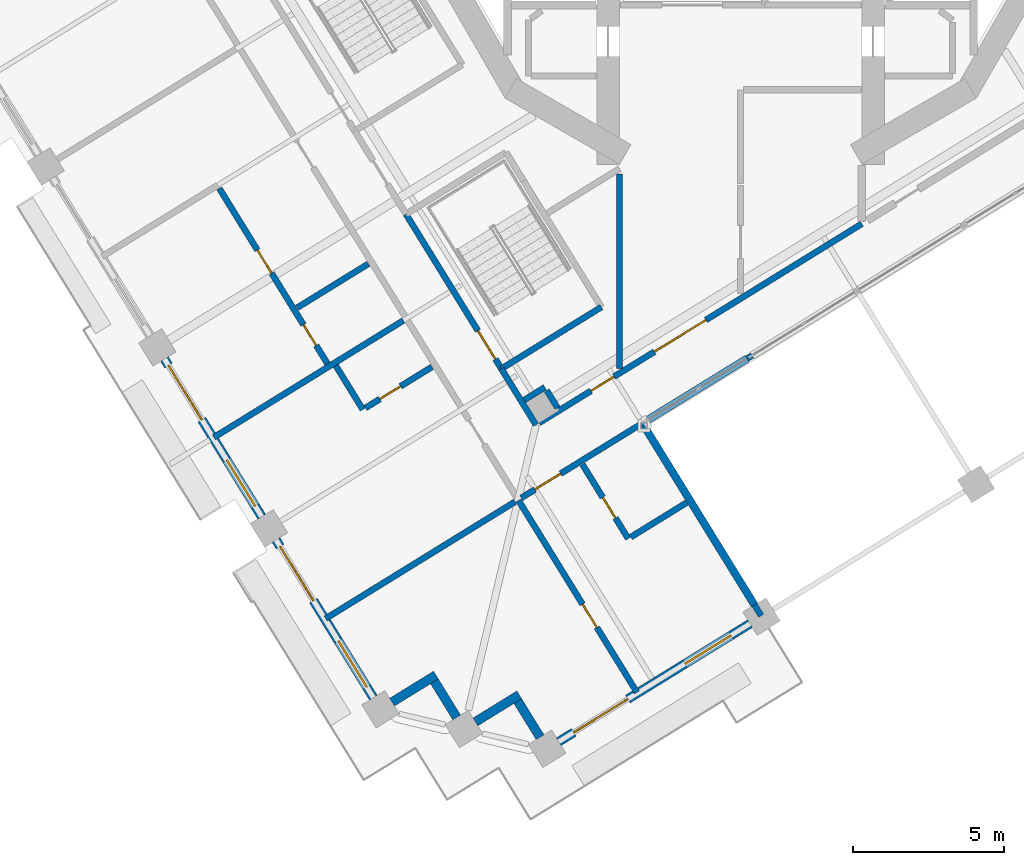
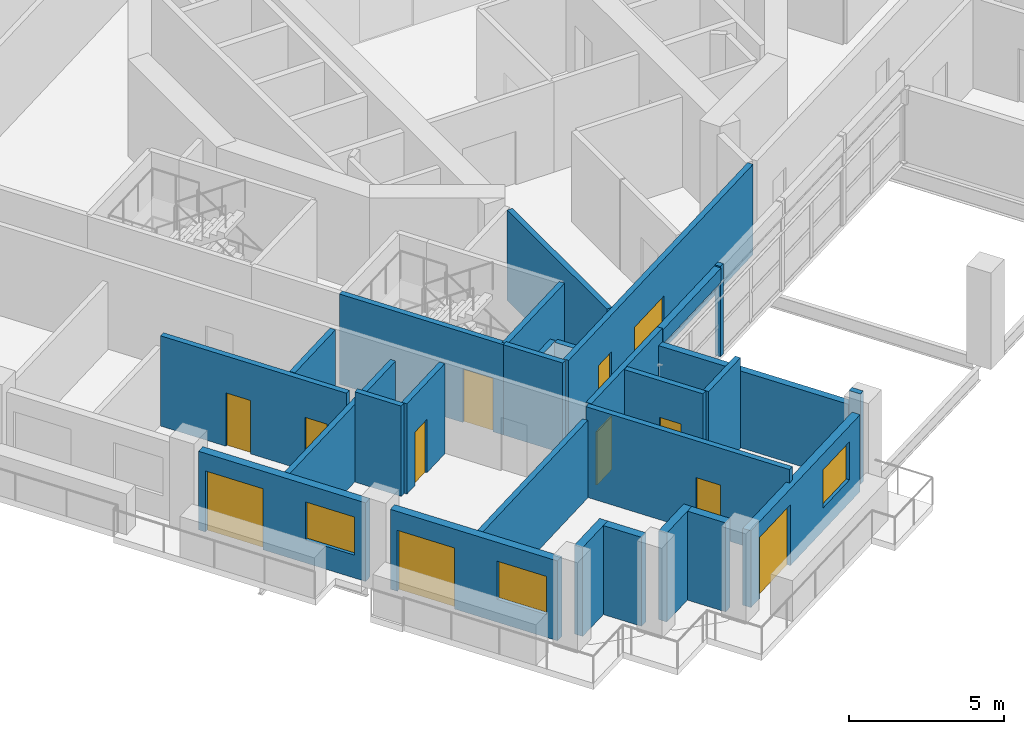
# One storey, part 8 of 22: 28 walls, 12 doors, 3 windows, 15 openings.
"""IFC4 building model written with IfcOpenShell, lengths in metres."""

from ifc_helpers import new_model, si_unit, direction, frame, frame_2d, origin, place, context, subcontext, project, spatial, rectangle, extrude, material, layer, layer_set, type_object, element, fill, save


model = new_model("IFC4")

# Units and contexts
model_context = context("Model", 3, precision=1e-05, world=origin(), true_north=direction((0.0, 1.0)))
body_context = subcontext(model_context, "Body", "Model", "MODEL_VIEW")
ifc_project = project(units=[si_unit("LENGTHUNIT", "METRE"), si_unit("AREAUNIT", "SQUARE_METRE"), si_unit("VOLUMEUNIT", "CUBIC_METRE"), si_unit("PLANEANGLEUNIT", "RADIAN"), si_unit("MASSUNIT", "GRAM", prefix="KILO")], contexts=[model_context])

# Site, building, storey
site_placement = place(None, origin())
site = spatial("IfcSite", under=ifc_project, at=site_placement, CompositionType="ELEMENT")
building_placement = place(site_placement, origin())
building = spatial("IfcBuilding", under=site, at=building_placement, Name="Cantera Rosa Tower", CompositionType="ELEMENT")
storey_placement = place(building_placement, frame((0.0, 0.0, 178.0)))
storey = spatial("IfcBuildingStorey", under=building, at=storey_placement, Name="L39", CompositionType="ELEMENT", Elevation=178.0)

# Wall
ifc_material_1 = material(Name="Gypsum board partition")
ifc_layer_1 = layer(ifc_material_1, 0.199951171875)
ifc_layer_set_1 = layer_set([ifc_layer_1], Name="CORRIDOR WALL 200 H3550")
wall_type_1 = type_object("IfcWallType", Name="CORRIDOR WALL 200 H3550", PredefinedType="PARTITIONING", material=ifc_layer_set_1)
wall_1_placement = place(storey_placement, frame((-7.9033203125, -16.7119140625, 0.0), z_axis=(0.0, 0.0, 1.0), x_axis=(0.525036414636, -0.851079763187, 0.0)))
element("IfcWall", 1, at=wall_1_placement, inside=storey, type_object=wall_type_1, Name="CORRIDOR WALL L39-026", PredefinedType="PARTITIONING", context=body_context, shape_type="SweptSolid", body=[
    extrude(rectangle(XDim=2.17529296875, YDim=0.199951171875, at=frame_2d((1.087646484375, 0.0))), origin(), (0.0, 0.0, 1.0), 3.550048828125),
])

# Wall, opening, door
wall_2_placement = place(storey_placement, frame((-7.246337890625, -20.977294921875, 0.0), z_axis=(0.0, 0.0, 1.0), x_axis=(0.851124523941, 0.524963850894, 0.0)))
wall_2 = element("IfcWall", 2, at=wall_2_placement, inside=storey, type_object=wall_type_1, Name="CORRIDOR WALL L39-035", PredefinedType="PARTITIONING", context=body_context, shape_type="SweptSolid", body=[
    extrude(rectangle(XDim=4.824951171875, YDim=0.199951171875, at=frame_2d((2.41259765625, 0.0))), origin(), (0.0, 0.0, 1.0), 3.550048828125),
])
opening_1_placement = place(wall_2_placement, frame((0.530029296875, 0.0, 0.0)))
opening_1 = element("IfcOpeningElement", 3, at=opening_1_placement, cuts=wall_2, Name="Opening L39-052", PredefinedType="OPENING", context=body_context, shape_type="SweptSolid", body=[
    extrude(rectangle(XDim=1.0, YDim=2.10009765625, at=frame_2d((0.5, 1.050048828125))), frame((0.0, 0.10986328125, 0.0), z_axis=(0.0, -1.0, 0.0), x_axis=(1.0, 0.0, 0.0)), (0.0, 0.0, 1.0), 0.219970703125),
])
ifc_material_2 = material(Name="Timber door leaf", Category="wood")
door_type_1 = type_object("IfcDoorType", Name="ENTRANCE DOOR 1000x2100", OperationType="NOTDEFINED", PredefinedType="DOOR", material=ifc_material_2)
door_1_placement = place(opening_1_placement, origin())
door_1 = element("IfcDoor", 4, at=door_1_placement, inside=storey, type_object=door_type_1, Name="DOOR L39-052", OperationType="NOTDEFINED", OverallHeight=2.10009765625, OverallWidth=1.0, PredefinedType="DOOR", context=body_context, shape_type="SweptSolid", body=[
    extrude(rectangle(XDim=1.0, YDim=2.10009765625, at=frame_2d((0.5, 1.050048828125))), frame((0.0, 0.02490234375, 0.0), z_axis=(0.0, -1.0, 0.0), x_axis=(1.0, 0.0, 0.0)), (0.0, 0.0, 1.0), 0.050048828125),
])
fill(opening_1, door_1)

# Wall
wall_3_placement = place(storey_placement, frame((0.212158203125, -16.376953125, 0.0), z_axis=(0.0, 0.0, 1.0), x_axis=(0.851095862204, 0.525010317365, 0.0)))
element("IfcWall", 5, at=wall_3_placement, inside=storey, type_object=wall_type_1, Name="CORRIDOR WALL L39-036", PredefinedType="PARTITIONING", context=body_context, shape_type="SweptSolid", body=[
    extrude(rectangle(XDim=0.19384765625, YDim=0.199951171875, at=frame_2d((0.096923828125, 0.0))), origin(), (0.0, 0.0, 1.0), 3.550048828125),
])

# Wall, openings, doors
wall_4_placement = place(storey_placement, frame((-6.6591796875, -18.500244140625, 0.0), z_axis=(0.0, 0.0, 1.0), x_axis=(0.851115705413, 0.524978148116, 0.0)))
wall_4 = element("IfcWall", 6, at=wall_4_placement, inside=storey, type_object=wall_type_1, Name="CORRIDOR WALL L39-044", PredefinedType="PARTITIONING", context=body_context, shape_type="SweptSolid", body=[
    extrude(rectangle(XDim=12.523681640625, YDim=0.199951171875, at=frame_2d((6.26171875, 0.0))), origin(), (0.0, 0.0, 1.0), 3.550048828125),
])
opening_2_placement = place(wall_4_placement, frame((2.01513671875, 0.0, 0.0)))
opening_2 = element("IfcOpeningElement", 7, at=opening_2_placement, cuts=wall_4, Name="Opening L39-008", PredefinedType="OPENING", context=body_context, shape_type="SweptSolid", body=[
    extrude(rectangle(XDim=0.89990234375, YDim=2.10009765625, at=frame_2d((0.449951171875, 1.050048828125))), frame((0.0, 0.10986328125, 0.0), z_axis=(0.0, -1.0, 0.0), x_axis=(1.0, 0.0, 0.0)), (0.0, 0.0, 1.0), 0.219970703125),
])
opening_3_placement = place(wall_4_placement, frame((4.47412109375, 0.0, 0.0)))
opening_3 = element("IfcOpeningElement", 8, at=opening_3_placement, cuts=wall_4, Name="Opening L39-013", PredefinedType="OPENING", context=body_context, shape_type="SweptSolid", body=[
    extrude(rectangle(XDim=2.0, YDim=2.10009765625, at=frame_2d((1.0, 1.050048828125))), frame((0.0, 0.10986328125, 0.0), z_axis=(0.0, -1.0, 0.0), x_axis=(1.0, 0.0, 0.0)), (0.0, 0.0, 1.0), 0.219970703125),
])
ifc_material_3 = material(Name="Steel S355J2 (EN 10025-2)", Category="steel")
door_type_2 = type_object("IfcDoorType", Name="LOBBY SCREEN DOOR 2000x2100", OperationType="NOTDEFINED", PredefinedType="DOOR", material=ifc_material_3)
door_2_placement = place(opening_3_placement, origin())
door_2 = element("IfcDoor", 9, at=door_2_placement, inside=storey, type_object=door_type_2, Name="DOOR L39-013", OperationType="NOTDEFINED", OverallHeight=2.10009765625, OverallWidth=2.0, PredefinedType="DOOR", context=body_context, shape_type="SweptSolid", body=[
    extrude(rectangle(XDim=2.0, YDim=2.10009765625, at=frame_2d((1.0, 1.050048828125))), frame((0.0, 0.02490234375, 0.0), z_axis=(0.0, -1.0, 0.0), x_axis=(1.0, 0.0, 0.0)), (0.0, 0.0, 1.0), 0.050048828125),
])
fill(opening_3, door_2)
ifc_material_4 = material(Name="Timber door leaf", Category="wood")
door_type_3 = type_object("IfcDoorType", Name="SERVICE DOOR 900x2100", OperationType="NOTDEFINED", PredefinedType="DOOR", material=ifc_material_4)
door_3_placement = place(opening_2_placement, origin())
door_3 = element("IfcDoor", 10, at=door_3_placement, inside=storey, type_object=door_type_3, Name="DOOR L39-008", OperationType="NOTDEFINED", OverallHeight=2.10009765625, OverallWidth=0.89990234375, PredefinedType="DOOR", context=body_context, shape_type="SweptSolid", body=[
    extrude(rectangle(XDim=0.89990234375, YDim=2.10009765625, at=frame_2d((0.449951171875, 1.050048828125))), frame((0.0, 0.02490234375, 0.0), z_axis=(0.0, -1.0, 0.0), x_axis=(1.0, 0.0, 0.0)), (0.0, 0.0, 1.0), 0.050048828125),
])
fill(opening_2, door_3)

# Walls
wall_5_placement = place(storey_placement, frame((-4.0, -10.274169921875, 0.0), z_axis=(0.0, 0.0, 1.0), x_axis=(0.0, -1.0, 0.0)))
element("IfcWall", 11, at=wall_5_placement, inside=storey, type_object=wall_type_1, Name="CORRIDOR WALL L39-055", PredefinedType="PARTITIONING", context=body_context, shape_type="SweptSolid", body=[
    extrude(rectangle(XDim=6.426025390625, YDim=0.199951171875, at=frame_2d((3.212890625, 0.0))), origin(), (0.0, 0.0, 1.0), 3.550048828125),
])
ifc_material_5 = material(Name="Hollow clay masonry with cantera stone cladding", Category="masonry")
ifc_layer_2 = layer(ifc_material_5, 0.300048828125)
ifc_layer_set_2 = layer_set([ifc_layer_2], Name="EW-LOGGIA 300")
wall_type_2 = type_object("IfcWallType", Name="EW-LOGGIA 300", PredefinedType="SOLIDWALL", material=ifc_layer_set_2)
wall_6_placement = place(storey_placement, frame((-11.51123046875, -27.72021484375, 0.0), z_axis=(0.0, 0.0, 1.0), x_axis=(0.851130227454, 0.524954603669, 0.0)))
element("IfcWall", 12, at=wall_6_placement, inside=storey, type_object=wall_type_2, Name="EN-L39-W20a", PredefinedType="SOLIDWALL", context=body_context, shape_type="SweptSolid", body=[
    extrude(rectangle(XDim=1.699951171875, YDim=0.300048828125, at=frame_2d((0.85009765625, 0.0))), origin(), (0.0, 0.0, 1.0), 3.5),
])
wall_7_placement = place(storey_placement, frame((-10.11328125, -27.0341796875, 0.0), z_axis=(0.0, 0.0, 1.0), x_axis=(0.524895019961, -0.85116697423, 0.0)))
element("IfcWall", 13, at=wall_7_placement, inside=storey, type_object=wall_type_2, Name="EN-L39-W20b", PredefinedType="SOLIDWALL", context=body_context, shape_type="SweptSolid", body=[
    extrude(rectangle(XDim=1.39990234375, YDim=0.300048828125, at=frame_2d((0.699951171875, 0.0))), origin(), (0.0, 0.0, 1.0), 3.5),
])
wall_8_placement = place(storey_placement, frame((-8.75927734375, -28.37255859375, 0.0), z_axis=(0.0, 0.0, 1.0), x_axis=(0.851105638601, 0.524994468487, 0.0)))
element("IfcWall", 14, at=wall_8_placement, inside=storey, type_object=wall_type_2, Name="EN-L39-W21a", PredefinedType="SOLIDWALL", context=body_context, shape_type="SweptSolid", body=[
    extrude(rectangle(XDim=1.7001953125, YDim=0.300048828125, at=frame_2d((0.85009765625, 0.0))), origin(), (0.0, 0.0, 1.0), 3.5),
])
wall_9_placement = place(storey_placement, frame((-7.361083984375, -27.6865234375, 0.0), z_axis=(0.0, 0.0, 1.0), x_axis=(0.524895019961, -0.85116697423, 0.0)))
element("IfcWall", 15, at=wall_9_placement, inside=storey, type_object=wall_type_2, Name="EN-L39-W21b", PredefinedType="SOLIDWALL", context=body_context, shape_type="SweptSolid", body=[
    extrude(rectangle(XDim=1.39990234375, YDim=0.300048828125, at=frame_2d((0.699951171875, 0.0))), origin(), (0.0, 0.0, 1.0), 3.5),
])

# Wall, openings, window, door
ifc_material_6 = material(Name="Hollow clay masonry with cantera stone cladding", Category="masonry")
ifc_layer_3 = layer(ifc_material_6, 0.300048828125)
ifc_layer_set_3 = layer_set([ifc_layer_3], Name="EW-LOGGIA 300 H3020")
wall_type_3 = type_object("IfcWallType", Name="EW-LOGGIA 300 H3020", PredefinedType="SOLIDWALL", material=ifc_layer_set_3)
wall_10_placement = place(storey_placement, frame((-6.007080078125, -29.02490234375, 0.0), z_axis=(0.0, 0.0, 1.0), x_axis=(0.851111085575, 0.524985637909, 0.0)))
wall_10 = element("IfcWall", 16, at=wall_10_placement, inside=storey, type_object=wall_type_3, Name="EN-L39-W22", PredefinedType="SOLIDWALL", context=body_context, shape_type="SweptSolid", body=[
    extrude(rectangle(XDim=7.420166015625, YDim=0.300048828125, at=frame_2d((3.7099609375, 0.0))), origin(), (0.0, 0.0, 1.0), 3.02001953125),
])
opening_4_placement = place(wall_10_placement, frame((0.580078125, 0.0, 0.0)))
opening_4 = element("IfcOpeningElement", 17, at=opening_4_placement, cuts=wall_10, Name="Opening L39-TD31", PredefinedType="OPENING", context=body_context, shape_type="SweptSolid", body=[
    extrude(rectangle(XDim=2.10009765625, YDim=2.39990234375, at=frame_2d((1.050048828125, 1.199951171875))), frame((0.0, 0.159912109375, 0.0), z_axis=(0.0, -1.0, 0.0), x_axis=(1.0, 0.0, 0.0)), (0.0, 0.0, 1.0), 0.320068359375),
])
opening_5_placement = place(wall_10_placement, frame((4.889892578125, 0.0, 0.89990234375)))
opening_5 = element("IfcOpeningElement", 18, at=opening_5_placement, cuts=wall_10, Name="Opening L39-W32", PredefinedType="OPENING", context=body_context, shape_type="SweptSolid", body=[
    extrude(rectangle(XDim=1.800048828125, YDim=1.5, at=frame_2d((0.89990234375, 0.75))), frame((0.0, 0.159912109375, 0.0), z_axis=(0.0, -1.0, 0.0), x_axis=(1.0, 0.0, 0.0)), (0.0, 0.0, 1.0), 0.320068359375),
])
ifc_material_7 = material(Name="Aluminium frame with clear glass", Category="aluminium")
window_type = type_object("IfcWindowType", Name="Hotel room window 1800x1500", PartitioningType="DOUBLE_PANEL_VERTICAL", PredefinedType="WINDOW", material=ifc_material_7)
window_1_placement = place(opening_5_placement, origin())
window_1 = element("IfcWindow", 19, at=window_1_placement, inside=storey, type_object=window_type, Name="WINDOW L39-W32", OverallHeight=1.5, OverallWidth=1.800048828125, PartitioningType="SINGLE_PANEL", PredefinedType="WINDOW", context=body_context, shape_type="SweptSolid", body=[
    extrude(rectangle(XDim=1.800048828125, YDim=1.5, at=frame_2d((0.89990234375, 0.75))), frame((0.0, 0.030029296875, 0.0), z_axis=(0.0, -1.0, 0.0), x_axis=(1.0, 0.0, 0.0)), (0.0, 0.0, 1.0), 0.06005859375),
])
fill(opening_5, window_1)
ifc_material_8 = material(Name="Aluminium frame with clear glass", Category="aluminium")
door_type_4 = type_object("IfcDoorType", Name="TD-H 2100x2400", OperationType="NOTDEFINED", PredefinedType="DOOR", material=ifc_material_8)
door_4_placement = place(opening_4_placement, origin())
door_4 = element("IfcDoor", 20, at=door_4_placement, inside=storey, type_object=door_type_4, Name="LOGGIA DOOR L39-TD31", OperationType="SLIDING_TO_LEFT", OverallHeight=2.39990234375, OverallWidth=2.10009765625, PredefinedType="DOOR", context=body_context, shape_type="SweptSolid", body=[
    extrude(rectangle(XDim=2.10009765625, YDim=2.39990234375, at=frame_2d((1.050048828125, 1.199951171875))), frame((0.0, 0.02490234375, 0.0), z_axis=(0.0, -1.0, 0.0), x_axis=(1.0, 0.0, 0.0)), (0.0, 0.0, 1.0), 0.050048828125),
])
fill(opening_4, door_4)

ifc_material_9 = material(Name="Hollow clay masonry with cantera stone cladding", Category="masonry")
ifc_layer_4 = layer(ifc_material_9, 0.300048828125)
ifc_layer_set_4 = layer_set([ifc_layer_4], Name="EW-LOGGIA 300 H3090")
wall_type_4 = type_object("IfcWallType", Name="EW-LOGGIA 300 H3090", PredefinedType="SOLIDWALL", material=ifc_layer_set_4)
wall_11_placement = place(storey_placement, frame((-19.02880859375, -16.389892578125, 0.0), z_axis=(0.0, 0.0, 1.0), x_axis=(0.524987447654, -0.851109969279, 0.0)))
wall_11 = element("IfcWall", 21, at=wall_11_placement, inside=storey, type_object=wall_type_4, Name="EN-L39-W18", PredefinedType="SOLIDWALL", context=body_context, shape_type="SweptSolid", body=[
    extrude(rectangle(XDim=6.119873046875, YDim=0.300048828125, at=frame_2d((3.06005859375, 0.0))), origin(), (0.0, 0.0, 1.0), 3.090087890625),
])
opening_6_placement = place(wall_11_placement, frame((0.2548828125, 0.0, 0.0)))
opening_6 = element("IfcOpeningElement", 22, at=opening_6_placement, cuts=wall_11, Name="Opening L39-TD27", PredefinedType="OPENING", context=body_context, shape_type="SweptSolid", body=[
    extrude(rectangle(XDim=2.10009765625, YDim=2.39990234375, at=frame_2d((1.050048828125, 1.199951171875))), frame((0.0, 0.159912109375, 0.0), z_axis=(0.0, -1.0, 0.0), x_axis=(1.0, 0.0, 0.0)), (0.0, 0.0, 1.0), 0.320068359375),
])
opening_7_placement = place(wall_11_placement, frame((3.9150390625, 0.0, 0.89990234375)))
opening_7 = element("IfcOpeningElement", 23, at=opening_7_placement, cuts=wall_11, Name="Opening L39-W28", PredefinedType="OPENING", context=body_context, shape_type="SweptSolid", body=[
    extrude(rectangle(XDim=1.800048828125, YDim=1.5, at=frame_2d((0.89990234375, 0.75))), frame((0.0, 0.159912109375, 0.0), z_axis=(0.0, -1.0, 0.0), x_axis=(1.0, 0.0, 0.0)), (0.0, 0.0, 1.0), 0.320068359375),
])
window_2_placement = place(opening_7_placement, origin())
window_2 = element("IfcWindow", 24, at=window_2_placement, inside=storey, type_object=window_type, Name="WINDOW L39-W28", OverallHeight=1.5, OverallWidth=1.800048828125, PartitioningType="SINGLE_PANEL", PredefinedType="WINDOW", context=body_context, shape_type="SweptSolid", body=[
    extrude(rectangle(XDim=1.800048828125, YDim=1.5, at=frame_2d((0.89990234375, 0.75))), frame((0.0, 0.030029296875, 0.0), z_axis=(0.0, -1.0, 0.0), x_axis=(1.0, 0.0, 0.0)), (0.0, 0.0, 1.0), 0.06005859375),
])
fill(opening_7, window_2)
door_5_placement = place(opening_6_placement, origin())
door_5 = element("IfcDoor", 25, at=door_5_placement, inside=storey, type_object=door_type_4, Name="LOGGIA DOOR L39-TD27", OperationType="SLIDING_TO_LEFT", OverallHeight=2.39990234375, OverallWidth=2.10009765625, PredefinedType="DOOR", context=body_context, shape_type="SweptSolid", body=[
    extrude(rectangle(XDim=2.10009765625, YDim=2.39990234375, at=frame_2d((1.050048828125, 1.199951171875))), frame((0.0, 0.02490234375, 0.0), z_axis=(0.0, -1.0, 0.0), x_axis=(1.0, 0.0, 0.0)), (0.0, 0.0, 1.0), 0.050048828125),
])
fill(opening_6, door_5)

ifc_material_10 = material(Name="Hollow clay masonry with cantera stone cladding", Category="masonry")
ifc_layer_5 = layer(ifc_material_10, 0.300048828125)
ifc_layer_set_5 = layer_set([ifc_layer_5], Name="EW-LOGGIA 300 H3140")
wall_type_5 = type_object("IfcWallType", Name="EW-LOGGIA 300 H3140", PredefinedType="SOLIDWALL", material=ifc_layer_set_5)
wall_12_placement = place(storey_placement, frame((-15.343505859375, -22.36474609375, 0.0), z_axis=(0.0, 0.0, 1.0), x_axis=(0.524987447654, -0.851109969279, 0.0)))
wall_12 = element("IfcWall", 26, at=wall_12_placement, inside=storey, type_object=wall_type_5, Name="EN-L39-W19", PredefinedType="SOLIDWALL", context=body_context, shape_type="SweptSolid", body=[
    extrude(rectangle(XDim=6.119873046875, YDim=0.300048828125, at=frame_2d((3.06005859375, 0.0))), origin(), (0.0, 0.0, 1.0), 3.139892578125),
])
opening_8_placement = place(wall_12_placement, frame((0.2548828125, 0.0, 0.0)))
opening_8 = element("IfcOpeningElement", 27, at=opening_8_placement, cuts=wall_12, Name="Opening L39-TD29", PredefinedType="OPENING", context=body_context, shape_type="SweptSolid", body=[
    extrude(rectangle(XDim=2.10009765625, YDim=2.39990234375, at=frame_2d((1.050048828125, 1.199951171875))), frame((0.0, 0.159912109375, 0.0), z_axis=(0.0, -1.0, 0.0), x_axis=(1.0, 0.0, 0.0)), (0.0, 0.0, 1.0), 0.320068359375),
])
opening_9_placement = place(wall_12_placement, frame((3.9150390625, 0.0, 0.89990234375)))
opening_9 = element("IfcOpeningElement", 28, at=opening_9_placement, cuts=wall_12, Name="Opening L39-W30", PredefinedType="OPENING", context=body_context, shape_type="SweptSolid", body=[
    extrude(rectangle(XDim=1.800048828125, YDim=1.5, at=frame_2d((0.89990234375, 0.75))), frame((0.0, 0.159912109375, 0.0), z_axis=(0.0, -1.0, 0.0), x_axis=(1.0, 0.0, 0.0)), (0.0, 0.0, 1.0), 0.320068359375),
])
window_3_placement = place(opening_9_placement, origin())
window_3 = element("IfcWindow", 29, at=window_3_placement, inside=storey, type_object=window_type, Name="WINDOW L39-W30", OverallHeight=1.5, OverallWidth=1.800048828125, PartitioningType="SINGLE_PANEL", PredefinedType="WINDOW", context=body_context, shape_type="SweptSolid", body=[
    extrude(rectangle(XDim=1.800048828125, YDim=1.5, at=frame_2d((0.89990234375, 0.75))), frame((0.0, 0.030029296875, 0.0), z_axis=(0.0, -1.0, 0.0), x_axis=(1.0, 0.0, 0.0)), (0.0, 0.0, 1.0), 0.06005859375),
])
fill(opening_9, window_3)
door_6_placement = place(opening_8_placement, origin())
door_6 = element("IfcDoor", 30, at=door_6_placement, inside=storey, type_object=door_type_4, Name="LOGGIA DOOR L39-TD29", OperationType="SLIDING_TO_LEFT", OverallHeight=2.39990234375, OverallWidth=2.10009765625, PredefinedType="DOOR", context=body_context, shape_type="SweptSolid", body=[
    extrude(rectangle(XDim=2.10009765625, YDim=2.39990234375, at=frame_2d((1.050048828125, 1.199951171875))), frame((0.0, 0.02490234375, 0.0), z_axis=(0.0, -1.0, 0.0), x_axis=(1.0, 0.0, 0.0)), (0.0, 0.0, 1.0), 0.050048828125),
])
fill(opening_8, door_6)

# Walls
ifc_material_11 = material(Name="Concrete C40/50", Category="concrete")
ifc_layer_6 = layer(ifc_material_11, 0.25)
ifc_layer_set_6 = layer_set([ifc_layer_6], Name="EW-POCKET CHEEK 250 H3020")
wall_type_6 = type_object("IfcWallType", Name="EW-POCKET CHEEK 250 H3020", PredefinedType="SOLIDWALL", material=ifc_layer_set_6)
wall_13_placement = place(storey_placement, frame((0.455078125, -24.51025390625, 0.0), z_axis=(0.0, 0.0, 1.0), x_axis=(-0.524984984735, 0.851111488468, 0.0)))
element("IfcWall", 31, at=wall_13_placement, inside=storey, type_object=wall_type_6, Name="POCKET CHEEK A L39", PredefinedType="SOLIDWALL", context=body_context, shape_type="SweptSolid", body=[
    extrude(rectangle(XDim=6.949951171875, YDim=0.25, at=frame_2d((3.47509765625, 0.0))), origin(), (0.0, 0.0, 1.0), 3.02001953125),
])
ifc_material_12 = material(Name="Hollow clay masonry with cantera stone cladding", Category="masonry")
ifc_layer_7 = layer(ifc_material_12, 0.25)
ifc_layer_set_7 = layer_set([ifc_layer_7], Name="EW-POCKET REAR 250")
wall_type_7 = type_object("IfcWallType", Name="EW-POCKET REAR 250", PredefinedType="SOLIDWALL", material=ifc_layer_set_7)
wall_14_placement = place(storey_placement, frame((-3.1396484375, -18.4443359375, 2.94189453125), z_axis=(0.0, 0.0, 1.0), x_axis=(0.85112147253, 0.524968798119, 0.0)))
element("IfcWall", 32, at=wall_14_placement, inside=storey, type_object=wall_type_7, Name="POCKET SPANDREL L39-1", PredefinedType="SOLIDWALL", context=body_context, shape_type="SweptSolid", body=[
    extrude(rectangle(XDim=3.93798828125, YDim=0.25, at=frame_2d((1.968994140625, 0.0))), origin(), (0.0, 0.0, 1.0), 0.55810546875),
])

# Wall, openings, doors
ifc_material_13 = material(Name="Gypsum board partition")
ifc_layer_8 = layer(ifc_material_13, 0.199951171875)
ifc_layer_set_8 = layer_set([ifc_layer_8], Name="PARTITION 200 H3550")
wall_type_8 = type_object("IfcWallType", Name="PARTITION 200 H3550", PredefinedType="PARTITIONING", material=ifc_layer_set_8)
wall_15_placement = place(storey_placement, frame((-17.214599609375, -10.75927734375, 0.0), z_axis=(0.0, 0.0, 1.0), x_axis=(0.524974538192, -0.851117932046, 0.0)))
wall_15 = element("IfcWall", 33, at=wall_15_placement, inside=storey, type_object=wall_type_8, Name="PARTITION L39-011", PredefinedType="PARTITIONING", context=body_context, shape_type="SweptSolid", body=[
    extrude(rectangle(XDim=6.800048828125, YDim=0.199951171875, at=frame_2d((3.39990234375, 0.0))), origin(), (0.0, 0.0, 1.0), 3.550048828125),
])
opening_10_placement = place(wall_15_placement, frame((2.389892578125, 0.0, 0.0)))
opening_10 = element("IfcOpeningElement", 34, at=opening_10_placement, cuts=wall_15, Name="Opening L39-045", PredefinedType="OPENING", context=body_context, shape_type="SweptSolid", body=[
    extrude(rectangle(XDim=0.89990234375, YDim=2.10009765625, at=frame_2d((0.449951171875, 1.050048828125))), frame((0.0, 0.10986328125, 0.0), z_axis=(0.0, -1.0, 0.0), x_axis=(1.0, 0.0, 0.0)), (0.0, 0.0, 1.0), 0.219970703125),
])
opening_11_placement = place(wall_15_placement, frame((5.2900390625, 0.0, 0.0)))
opening_11 = element("IfcOpeningElement", 35, at=opening_11_placement, cuts=wall_15, Name="Opening L39-046", PredefinedType="OPENING", context=body_context, shape_type="SweptSolid", body=[
    extrude(rectangle(XDim=0.800048828125, YDim=2.10009765625, at=frame_2d((0.39990234375, 1.050048828125))), frame((0.0, 0.10986328125, 0.0), z_axis=(0.0, -1.0, 0.0), x_axis=(1.0, 0.0, 0.0)), (0.0, 0.0, 1.0), 0.219970703125),
])
ifc_material_14 = material(Name="Timber door leaf", Category="wood")
door_type_5 = type_object("IfcDoorType", Name="BATHROOM DOOR 800x2100", OperationType="NOTDEFINED", PredefinedType="DOOR", material=ifc_material_14)
door_7_placement = place(opening_11_placement, origin())
door_7 = element("IfcDoor", 36, at=door_7_placement, inside=storey, type_object=door_type_5, Name="DOOR L39-046", OperationType="NOTDEFINED", OverallHeight=2.10009765625, OverallWidth=0.800048828125, PredefinedType="DOOR", context=body_context, shape_type="SweptSolid", body=[
    extrude(rectangle(XDim=0.800048828125, YDim=2.10009765625, at=frame_2d((0.39990234375, 1.050048828125))), frame((0.0, 0.02490234375, 0.0), z_axis=(0.0, -1.0, 0.0), x_axis=(1.0, 0.0, 0.0)), (0.0, 0.0, 1.0), 0.050048828125),
])
fill(opening_11, door_7)
ifc_material_15 = material(Name="Timber door leaf", Category="wood")
door_type_6 = type_object("IfcDoorType", Name="ROOM DOOR 900x2100", OperationType="NOTDEFINED", PredefinedType="DOOR", material=ifc_material_15)
door_8_placement = place(opening_10_placement, origin())
door_8 = element("IfcDoor", 37, at=door_8_placement, inside=storey, type_object=door_type_6, Name="DOOR L39-045", OperationType="NOTDEFINED", OverallHeight=2.10009765625, OverallWidth=0.89990234375, PredefinedType="DOOR", context=body_context, shape_type="SweptSolid", body=[
    extrude(rectangle(XDim=0.89990234375, YDim=2.10009765625, at=frame_2d((0.449951171875, 1.050048828125))), frame((0.0, 0.02490234375, 0.0), z_axis=(0.0, -1.0, 0.0), x_axis=(1.0, 0.0, 0.0)), (0.0, 0.0, 1.0), 0.050048828125),
])
fill(opening_10, door_8)

# Walls
wall_16_placement = place(storey_placement, frame((-14.64501953125, -14.6962890625, 0.0), z_axis=(0.0, 0.0, 1.0), x_axis=(0.851129367012, 0.524955998737, 0.0)))
element("IfcWall", 38, at=wall_16_placement, inside=storey, type_object=wall_type_8, Name="PARTITION L39-014", PredefinedType="PARTITIONING", context=body_context, shape_type="SweptSolid", body=[
    extrude(rectangle(XDim=2.759765625, YDim=0.199951171875, at=frame_2d((1.3798828125, 0.0))), origin(), (0.0, 0.0, 1.0), 3.550048828125),
])
wall_17_placement = place(storey_placement, frame((-12.477294921875, -18.058837890625, 0.0), z_axis=(0.0, 0.0, 1.0), x_axis=(-0.524954603669, 0.851130227454, 0.0)))
element("IfcWall", 39, at=wall_17_placement, inside=storey, type_object=wall_type_8, Name="PARTITION L39-018", PredefinedType="PARTITIONING", context=body_context, shape_type="SweptSolid", body=[
    extrude(rectangle(XDim=1.699951171875, YDim=0.199951171875, at=frame_2d((0.85009765625, 0.0))), origin(), (0.0, 0.0, 1.0), 3.550048828125),
])

# Wall, opening, door
wall_18_placement = place(storey_placement, frame((-10.1962890625, -16.65185546875, 0.0), z_axis=(0.0, 0.0, 1.0), x_axis=(-0.851098989685, -0.525005247362, 0.0)))
wall_18 = element("IfcWall", 40, at=wall_18_placement, inside=storey, type_object=wall_type_8, Name="PARTITION L39-024", PredefinedType="PARTITIONING", context=body_context, shape_type="SweptSolid", body=[
    extrude(rectangle(XDim=2.580078125, YDim=0.199951171875, at=frame_2d((1.2900390625, 0.0))), origin(), (0.0, 0.0, 1.0), 3.550048828125),
])
opening_12_placement = place(wall_18_placement, frame((1.216064453125, 0.0, 0.0)))
opening_12 = element("IfcOpeningElement", 41, at=opening_12_placement, cuts=wall_18, Name="Opening L39-048", PredefinedType="OPENING", context=body_context, shape_type="SweptSolid", body=[
    extrude(rectangle(XDim=0.800048828125, YDim=2.10009765625, at=frame_2d((0.39990234375, 1.050048828125))), frame((0.0, 0.10986328125, 0.0), z_axis=(0.0, -1.0, 0.0), x_axis=(1.0, 0.0, 0.0)), (0.0, 0.0, 1.0), 0.219970703125),
])
door_9_placement = place(opening_12_placement, origin())
door_9 = element("IfcDoor", 42, at=door_9_placement, inside=storey, type_object=door_type_5, Name="DOOR L39-048", OperationType="NOTDEFINED", OverallHeight=2.10009765625, OverallWidth=0.800048828125, PredefinedType="DOOR", context=body_context, shape_type="SweptSolid", body=[
    extrude(rectangle(XDim=0.800048828125, YDim=2.10009765625, at=frame_2d((0.39990234375, 1.050048828125))), frame((0.0, 0.02490234375, 0.0), z_axis=(0.0, -1.0, 0.0), x_axis=(1.0, 0.0, 0.0)), (0.0, 0.0, 1.0), 0.050048828125),
])
fill(opening_12, door_9)

wall_19_placement = place(storey_placement, frame((-7.337890625, -21.057373046875, 0.0), z_axis=(0.0, 0.0, 1.0), x_axis=(0.524982084645, -0.851113277303, 0.0)))
wall_19 = element("IfcWall", 43, at=wall_19_placement, inside=storey, type_object=wall_type_8, Name="PARTITION L39-034", PredefinedType="PARTITIONING", context=body_context, shape_type="SweptSolid", body=[
    extrude(rectangle(XDim=7.449951171875, YDim=0.199951171875, at=frame_2d((3.72509765625, 0.0))), origin(), (0.0, 0.0, 1.0), 3.550048828125),
])
opening_13_placement = place(wall_19_placement, frame((4.030029296875, 0.0, 0.0)))
opening_13 = element("IfcOpeningElement", 44, at=opening_13_placement, cuts=wall_19, Name="Opening L39-054", PredefinedType="OPENING", context=body_context, shape_type="SweptSolid", body=[
    extrude(rectangle(XDim=0.89990234375, YDim=2.10009765625, at=frame_2d((0.449951171875, 1.050048828125))), frame((0.0, 0.10986328125, 0.0), z_axis=(0.0, -1.0, 0.0), x_axis=(1.0, 0.0, 0.0)), (0.0, 0.0, 1.0), 0.219970703125),
])
door_10_placement = place(opening_13_placement, origin())
door_10 = element("IfcDoor", 45, at=door_10_placement, inside=storey, type_object=door_type_6, Name="DOOR L39-054", OperationType="NOTDEFINED", OverallHeight=2.10009765625, OverallWidth=0.89990234375, PredefinedType="DOOR", context=body_context, shape_type="SweptSolid", body=[
    extrude(rectangle(XDim=0.89990234375, YDim=2.10009765625, at=frame_2d((0.449951171875, 1.050048828125))), frame((0.0, 0.02490234375, 0.0), z_axis=(0.0, -1.0, 0.0), x_axis=(1.0, 0.0, 0.0)), (0.0, 0.0, 1.0), 0.050048828125),
])
fill(opening_13, door_10)

# Walls
wall_20_placement = place(storey_placement, frame((-6.4677734375, -17.32470703125, 0.0), z_axis=(0.0, 0.0, 1.0), x_axis=(-0.85101860469, -0.525135539144, 0.0)))
element("IfcWall", 46, at=wall_20_placement, inside=storey, type_object=wall_type_8, Name="PARTITION L39-045", PredefinedType="PARTITIONING", context=body_context, shape_type="SweptSolid", body=[
    extrude(rectangle(XDim=0.800048828125, YDim=0.199951171875, at=frame_2d((0.39990234375, 0.0))), origin(), (0.0, 0.0, 1.0), 3.550048828125),
])
wall_21_placement = place(storey_placement, frame((-6.0478515625, -18.005615234375, 0.0), z_axis=(0.0, 0.0, 1.0), x_axis=(-0.525018782991, 0.851090640006, 0.0)))
element("IfcWall", 47, at=wall_21_placement, inside=storey, type_object=wall_type_8, Name="PARTITION L39-047", PredefinedType="PARTITIONING", context=body_context, shape_type="SweptSolid", body=[
    extrude(rectangle(XDim=0.679931640625, YDim=0.199951171875, at=frame_2d((0.33984375, 0.0))), origin(), (0.0, 0.0, 1.0), 3.550048828125),
])

# Wall, opening, door
wall_22_placement = place(storey_placement, frame((-3.7138671875, -22.3232421875, 0.0), z_axis=(0.0, 0.0, 1.0), x_axis=(-0.524929648476, 0.851145618652, 0.0)))
wall_22 = element("IfcWall", 48, at=wall_22_placement, inside=storey, type_object=wall_type_8, Name="PARTITION L39-059", PredefinedType="PARTITIONING", context=body_context, shape_type="SweptSolid", body=[
    extrude(rectangle(XDim=2.8798828125, YDim=0.199951171875, at=frame_2d((1.43994140625, 0.0))), origin(), (0.0, 0.0, 1.0), 3.550048828125),
])
opening_14_placement = place(wall_22_placement, frame((0.800048828125, 0.0, 0.0)))
opening_14 = element("IfcOpeningElement", 49, at=opening_14_placement, cuts=wall_22, Name="Opening L39-053", PredefinedType="OPENING", context=body_context, shape_type="SweptSolid", body=[
    extrude(rectangle(XDim=0.800048828125, YDim=2.10009765625, at=frame_2d((0.39990234375, 1.050048828125))), frame((0.0, 0.10986328125, 0.0), z_axis=(0.0, -1.0, 0.0), x_axis=(1.0, 0.0, 0.0)), (0.0, 0.0, 1.0), 0.219970703125),
])
door_11_placement = place(opening_14_placement, origin())
door_11 = element("IfcDoor", 50, at=door_11_placement, inside=storey, type_object=door_type_5, Name="DOOR L39-053", OperationType="NOTDEFINED", OverallHeight=2.10009765625, OverallWidth=0.800048828125, PredefinedType="DOOR", context=body_context, shape_type="SweptSolid", body=[
    extrude(rectangle(XDim=0.800048828125, YDim=2.10009765625, at=frame_2d((0.39990234375, 1.050048828125))), frame((0.0, 0.02490234375, 0.0), z_axis=(0.0, -1.0, 0.0), x_axis=(1.0, 0.0, 0.0)), (0.0, 0.0, 1.0), 0.050048828125),
])
fill(opening_14, door_11)

# Walls
wall_23_placement = place(storey_placement, frame((0.455078125, -24.51025390625, 0.0), z_axis=(0.0, 0.0, 1.0), x_axis=(0.524972939322, -0.851118918236, 0.0)))
element("IfcWall", 51, at=wall_23_placement, inside=storey, type_object=wall_type_8, Name="PARTITION L39-060", PredefinedType="PARTITIONING", context=body_context, shape_type="SweptSolid", body=[
    extrude(rectangle(XDim=0.419921875, YDim=0.199951171875, at=frame_2d((0.2099609375, 0.0))), origin(), (0.0, 0.0, 1.0), 3.550048828125),
])
wall_24_placement = place(storey_placement, frame((-1.785888671875, -21.134033203125, 0.0), z_axis=(0.0, 0.0, 1.0), x_axis=(-0.851100334152, -0.525003067807, 0.0)))
element("IfcWall", 52, at=wall_24_placement, inside=storey, type_object=wall_type_8, Name="PARTITION L39-062", PredefinedType="PARTITIONING", context=body_context, shape_type="SweptSolid", body=[
    extrude(rectangle(XDim=2.165283203125, YDim=0.199951171875, at=frame_2d((1.08251953125, 0.0))), origin(), (0.0, 0.0, 1.0), 3.550048828125),
])
ifc_material_16 = material(Name="Gypsum board partition")
ifc_layer_9 = layer(ifc_material_16, 0.199951171875)
ifc_layer_set_9 = layer_set([ifc_layer_9], Name="PARTY WALL 200 H3050")
wall_type_9 = type_object("IfcWallType", Name="PARTY WALL 200 H3050", PredefinedType="PARTITIONING", material=ifc_layer_set_9)
wall_25_placement = place(storey_placement, frame((-13.706298828125, -24.9619140625, 0.0), z_axis=(0.0, 0.0, 1.0), x_axis=(0.851118431638, 0.524973728225, 0.0)))
element("IfcWall", 53, at=wall_25_placement, inside=storey, type_object=wall_type_9, Name="PARTY WALL L39-015", PredefinedType="PARTITIONING", context=body_context, shape_type="SweptSolid", body=[
    extrude(rectangle(XDim=7.35009765625, YDim=0.199951171875, at=frame_2d((3.675048828125, 0.0))), origin(), (0.0, 0.0, 1.0), 3.050048828125),
])
wall_26_placement = place(storey_placement, frame((-11.14111328125, -15.119873046875, 0.0), z_axis=(0.0, 0.0, 1.0), x_axis=(-0.851109277096, -0.52498856982, 0.0)))
element("IfcWall", 54, at=wall_26_placement, inside=storey, type_object=wall_type_9, Name="PARTY WALL L39-021", PredefinedType="PARTITIONING", context=body_context, shape_type="SweptSolid", body=[
    extrude(rectangle(XDim=7.349853515625, YDim=0.199951171875, at=frame_2d((3.6748046875, 0.0))), origin(), (0.0, 0.0, 1.0), 3.050048828125),
])

# Wall, opening, door
ifc_material_17 = material(Name="Concrete C50/60", Category="concrete")
ifc_layer_10 = layer(ifc_material_17, 0.199951171875)
ifc_layer_set_10 = layer_set([ifc_layer_10], Name="STAIR WALL 200 H3550")
wall_type_10 = type_object("IfcWallType", Name="STAIR WALL 200 H3550", PredefinedType="SOLIDWALL", material=ifc_layer_set_10)
wall_27_placement = place(storey_placement, frame((-11.05322265625, -11.605224609375, 0.0), z_axis=(0.0, 0.0, 1.0), x_axis=(0.524982543144, -0.851112994493, 0.0)))
wall_27 = element("IfcWall", 55, at=wall_27_placement, inside=storey, type_object=wall_type_10, Name="STAIR WALL L39-020", PredefinedType="SOLIDWALL", context=body_context, shape_type="SweptSolid", body=[
    extrude(rectangle(XDim=6.0, YDim=0.199951171875, at=frame_2d((3.0, 0.0))), origin(), (0.0, 0.0, 1.0), 3.550048828125),
])
opening_15_placement = place(wall_27_placement, frame((4.52490234375, 0.0, 0.0)))
opening_15 = element("IfcOpeningElement", 56, at=opening_15_placement, cuts=wall_27, Name="Opening L39-003", PredefinedType="OPENING", context=body_context, shape_type="SweptSolid", body=[
    extrude(rectangle(XDim=1.10009765625, YDim=2.10009765625, at=frame_2d((0.550048828125, 1.050048828125))), frame((0.0, 0.10986328125, 0.0), z_axis=(0.0, -1.0, 0.0), x_axis=(1.0, 0.0, 0.0)), (0.0, 0.0, 1.0), 0.219970703125),
])
ifc_material_18 = material(Name="Steel S355J2 (EN 10025-2)", Category="steel")
door_type_7 = type_object("IfcDoorType", Name="STAIR DOOR 1100x2100", OperationType="NOTDEFINED", PredefinedType="DOOR", material=ifc_material_18)
door_12_placement = place(opening_15_placement, origin())
door_12 = element("IfcDoor", 57, at=door_12_placement, inside=storey, type_object=door_type_7, Name="DOOR L39-003", OperationType="NOTDEFINED", OverallHeight=2.10009765625, OverallWidth=1.10009765625, PredefinedType="DOOR", context=body_context, shape_type="SweptSolid", body=[
    extrude(rectangle(XDim=1.10009765625, YDim=2.10009765625, at=frame_2d((0.550048828125, 1.050048828125))), frame((0.0, 0.02490234375, 0.0), z_axis=(0.0, -1.0, 0.0), x_axis=(1.0, 0.0, 0.0)), (0.0, 0.0, 1.0), 0.050048828125),
])
fill(opening_15, door_12)

# Wall
wall_28_placement = place(storey_placement, frame((-7.9033203125, -16.7119140625, 0.0), z_axis=(0.0, 0.0, 1.0), x_axis=(0.851124503894, 0.524963883397, 0.0)))
element("IfcWall", 58, at=wall_28_placement, inside=storey, type_object=wall_type_10, Name="STAIR WALL L39-027", PredefinedType="SOLIDWALL", context=body_context, shape_type="SweptSolid", body=[
    extrude(rectangle(XDim=3.8818359375, YDim=0.199951171875, at=frame_2d((1.94091796875, 0.0))), origin(), (0.0, 0.0, 1.0), 3.550048828125),
])

save(model, "model.ifc")
